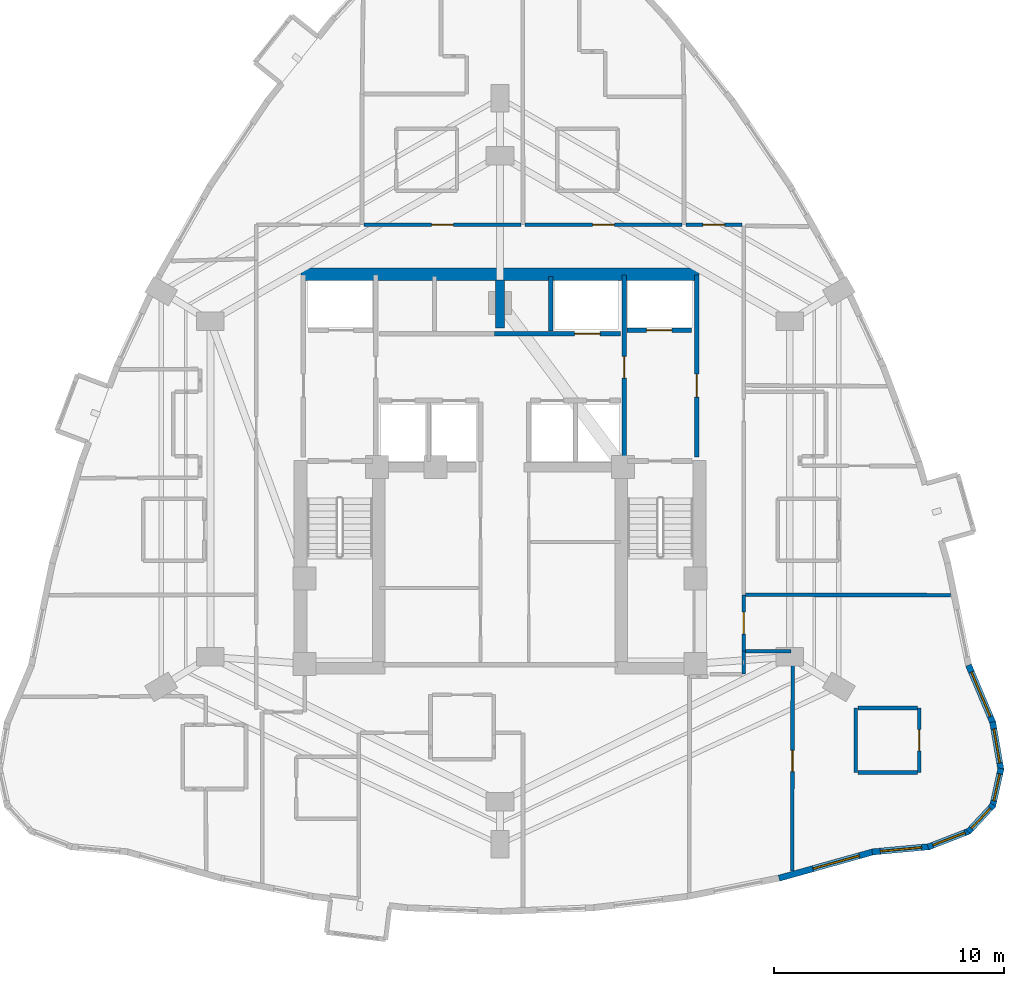
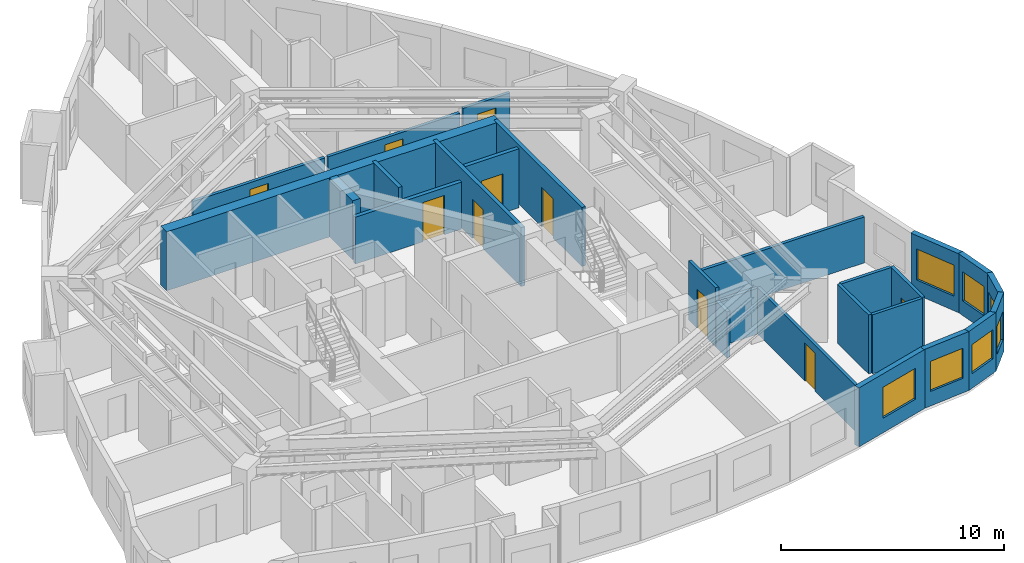
# One storey, part 11 of 14: 26 walls, 10 doors, 7 windows, 17 openings.
"""IFC4 building model written with IfcOpenShell, lengths in metres."""

import ifcopenshell
import ifcopenshell.guid

model = None  # the IFC model being written
_history = None  # IfcOwnerHistory: only IFC2X3 demands one
_inside = {}  # id of a spatial element -> (the spatial element, [elements in it])
_under = {}  # id of a project, library or spatial element -> (it, [spatial elements below it])
_declared = {}  # id of a project -> (the project, [libraries it declares])
_typed = {}  # id of a type object -> (the type object, [elements of that type])
_made_of = {}  # id of a material, layer set ... -> (it, [elements and type objects made of it])


def new_model(schema):
    """Start an empty IFC model of exactly this schema.

    Asked for "IFC4X3", IfcOpenShell would pick the latest addendum, in which some entities
    have other attributes; the version numbers below select the first issue.
    IFC2X3 requires an IfcOwnerHistory on every rooted entity: one is made here for all.
    """
    global model, _history
    if schema == "IFC4X3":
        model = ifcopenshell.file(schema_version=(4, 3, 0, 0))
    else:
        model = ifcopenshell.file(schema=schema)
    _inside.clear()
    _under.clear()
    _declared.clear()
    _typed.clear()
    _made_of.clear()
    _history = None
    if model.schema == "IFC2X3":
        org = make("IfcOrganization", Name="unknown")
        user = make(
            "IfcPersonAndOrganization",
            ThePerson=make("IfcPerson", FamilyName="unknown"),
            TheOrganization=org,
        )
        app = make(
            "IfcApplication",
            ApplicationDeveloper=org,
            Version="unknown",
            ApplicationFullName="unknown",
            ApplicationIdentifier="unknown",
        )
        _history = make(
            "IfcOwnerHistory",
            OwningUser=user,
            OwningApplication=app,
            ChangeAction="ADDED",
            CreationDate=0,
        )
    return model


def make(cls, **values):
    """One entity of the class cls with the attributes given. An attribute that is None is left unset."""
    return model.create_entity(
        cls, **{name: value for name, value in values.items() if value is not None}
    )


def rooted(cls, **values):
    """An entity with a GlobalId (a new one), such as an element, a storey or a relation."""
    return make(cls, GlobalId=ifcopenshell.guid.new(), OwnerHistory=_history, **values)


def si_unit(unit_type, name, prefix=None):
    """IfcSIUnit, for example si_unit("LENGTHUNIT", "METRE", prefix="MILLI")."""
    return make("IfcSIUnit", UnitType=unit_type, Prefix=prefix, Name=name)


def assignment(units):
    """IfcUnitAssignment: the units of a project."""
    return None if units is None else make("IfcUnitAssignment", Units=units)


def point(xyz):
    """IfcCartesianPoint."""
    return None if xyz is None else make("IfcCartesianPoint", Coordinates=xyz)


def direction(xyz):
    """IfcDirection."""
    return None if xyz is None else make("IfcDirection", DirectionRatios=xyz)


def frame(location, z_axis=None, x_axis=None):
    """IfcAxis2Placement3D, a coordinate frame: its origin and axes. An axis left out is left unset."""
    return make(
        "IfcAxis2Placement3D",
        Location=point(location),
        Axis=direction(z_axis),
        RefDirection=direction(x_axis),
    )


def frame_2d(location, x_axis=None):
    """IfcAxis2Placement2D, a coordinate frame in the plane: its origin and x axis."""
    return make(
        "IfcAxis2Placement2D", Location=point(location), RefDirection=direction(x_axis)
    )


def origin():
    """The frame at (0, 0, 0) with its axes left unset."""
    return frame((0.0, 0.0, 0.0))


def place(relative_to, where):
    """IfcLocalPlacement: puts the frame where relative to a parent placement (None: the world)."""
    return make(
        "IfcLocalPlacement", PlacementRelTo=relative_to, RelativePlacement=where
    )


def context(
    kind, dimensions, precision=None, world=None, true_north=None, identifier=None
):
    """IfcGeometricRepresentationContext, for example the 3D "Model" context."""
    return make(
        "IfcGeometricRepresentationContext",
        ContextIdentifier=identifier,
        ContextType=kind,
        CoordinateSpaceDimension=dimensions,
        Precision=precision,
        WorldCoordinateSystem=world,
        TrueNorth=true_north,
    )


def subcontext(parent, identifier, kind, view, scale=None):
    """IfcGeometricRepresentationSubContext, for example "Body" below "Model"."""
    return make(
        "IfcGeometricRepresentationSubContext",
        ContextIdentifier=identifier,
        ContextType=kind,
        ParentContext=parent,
        TargetScale=scale,
        TargetView=view,
    )


def project(units=None, contexts=None):
    """IfcProject with its units and contexts."""
    return rooted(
        "IfcProject",
        Name="project",
        RepresentationContexts=contexts,
        UnitsInContext=assignment(units),
    )


def spatial(cls, under=None, at=None, **own):
    """A site, building, storey or space (cls), placed at a placement, below another one or the project."""
    s = rooted(cls, ObjectPlacement=at, **own)
    if under is not None:
        _under.setdefault(under.id(), (under, []))[1].append(s)
    return s


def profile(cls, at=None, kind="AREA", **sizes):
    """A parametric profile (cls). Its sizes go by their IFC names, for example OverallWidth=200.0."""
    return make(cls, ProfileType=kind, Position=at, **sizes)


def rectangle(**sizes):
    """IfcRectangleProfileDef."""
    return profile("IfcRectangleProfileDef", **sizes)


def extrude(swept, where, along, depth):
    """IfcExtrudedAreaSolid: the profile swept, set in the frame where, extruded along a direction by depth."""
    return make(
        "IfcExtrudedAreaSolid",
        SweptArea=swept,
        Position=where,
        ExtrudedDirection=direction(along),
        Depth=depth,
    )


def shape(context_of_items, identifier, shape_type, items):
    """IfcShapeRepresentation: the items that make up one representation, for example the "Body"."""
    return make(
        "IfcShapeRepresentation",
        ContextOfItems=context_of_items,
        RepresentationIdentifier=identifier,
        RepresentationType=shape_type,
        Items=items,
    )


def material(Name=None, Category=None):
    """IfcMaterial."""
    return make("IfcMaterial", Name=Name, Category=Category)


def layer(
    of_material, thickness, ventilated=None, Name=None, Category=None, Priority=None
):
    """IfcMaterialLayer: one layer of a wall or slab, of a material (None: an air gap)."""
    return make(
        "IfcMaterialLayer",
        Material=of_material,
        LayerThickness=thickness,
        IsVentilated=ventilated,
        Name=Name,
        Category=Category,
        Priority=Priority,
    )


def layer_set(layers, Name=None):
    """IfcMaterialLayerSet."""
    return make("IfcMaterialLayerSet", MaterialLayers=layers, LayerSetName=Name)


def made_of(thing, what):
    """Note that an element or type object is made of a material, layer set ...; save() writes the relation."""
    if what is not None:
        _made_of.setdefault(what.id(), (what, []))[1].append(thing)
    return thing


def type_object(cls, material=None, **own):
    """A type object (cls), such as IfcWallType, which elements share."""
    return made_of(rooted(cls, **own), material)


def element(
    cls,
    number,
    at=None,
    inside=None,
    cuts=None,
    type_object=None,
    material=None,
    context=None,
    identifier="Body",
    shape_type=None,
    held_by="IfcProductDefinitionShape",
    body=None,
    shapes=None,
    **own,
):
    """One element of the class cls, such as IfcWall. Its Tag is "e" and its number.

    at: its placement. inside: the storey or other place that contains it. cuts: it is an
    opening in that element (IfcRelVoidsElement). A single representation is given by context,
    identifier, shape_type and body (its items); several are given by shapes. held_by: the class
    of the entity that holds the representations. save() writes the other relations.
    """
    e = rooted(cls, Tag="e%d" % number, ObjectPlacement=at, **own)
    if body is not None:
        shapes = [shape(context, identifier, shape_type, body)]
    if shapes is not None:
        e.Representation = make(held_by, Representations=shapes)
    if inside is not None:
        _inside.setdefault(inside.id(), (inside, []))[1].append(e)
    if cuts is not None:
        rooted(
            "IfcRelVoidsElement", RelatingBuildingElement=cuts, RelatedOpeningElement=e
        )
    if type_object is not None:
        _typed.setdefault(type_object.id(), (type_object, []))[1].append(e)
    return made_of(e, material)


def fill(opening, filler):
    """IfcRelFillsElement: the door or window that sits in an opening."""
    return rooted(
        "IfcRelFillsElement",
        RelatingOpeningElement=opening,
        RelatedBuildingElement=filler,
    )


def aggregate(whole, parts):
    """IfcRelAggregates: a whole, such as a stair, and the parts it consists of."""
    return rooted("IfcRelAggregates", RelatingObject=whole, RelatedObjects=parts)


def save(model, path):
    """Write the relations noted so far, then the file.

    IfcRelAggregates (storeys below a building ...), IfcRelContainedInSpatialStructure (elements
    in a storey), IfcRelDefinesByType, IfcRelAssociatesMaterial and IfcRelDeclares: one each for
    every whole, place, type object, material and project.
    """
    for whole, parts in _under.values():
        aggregate(whole, parts)
    for where, things in _inside.values():
        rooted(
            "IfcRelContainedInSpatialStructure",
            RelatedElements=things,
            RelatingStructure=where,
        )
    for kind, things in _typed.values():
        rooted("IfcRelDefinesByType", RelatedObjects=things, RelatingType=kind)
    for what, things in _made_of.values():
        rooted("IfcRelAssociatesMaterial", RelatedObjects=things, RelatingMaterial=what)
    for by, libraries in _declared.values():
        rooted("IfcRelDeclares", RelatingContext=by, RelatedDefinitions=libraries)
    model.write(path)


model = new_model("IFC4")

# Units and contexts
model_context = context("Model", 3, precision=1e-05, world=origin(), true_north=direction((0.0, 1.0)))
body_context = subcontext(model_context, "Body", "Model", "MODEL_VIEW")
ifc_project = project(units=[si_unit("LENGTHUNIT", "METRE"), si_unit("AREAUNIT", "SQUARE_METRE"), si_unit("VOLUMEUNIT", "CUBIC_METRE"), si_unit("PLANEANGLEUNIT", "RADIAN"), si_unit("MASSUNIT", "GRAM", prefix="KILO")], contexts=[model_context])

# Site, building, storey
site_placement = place(None, origin())
site = spatial("IfcSite", under=ifc_project, at=site_placement, CompositionType="ELEMENT")
building_placement = place(site_placement, origin())
building = spatial("IfcBuilding", under=site, at=building_placement, Name="Miruveldt Soraemaru", CompositionType="ELEMENT")
storey_placement = place(building_placement, frame((0.0, 0.0, 131.89990234375)))
storey = spatial("IfcBuildingStorey", under=building, at=storey_placement, Name="L36", CompositionType="ELEMENT", Elevation=131.89990234375)

# Walls
ifc_material_1 = material(Name="Concrete C70/85 (70 MPa)", Category="concrete")
ifc_layer_1 = layer(ifc_material_1, 0.5, Name="Concrete C70/85 (70 MPa)", Category="concrete")
ifc_layer_set_1 = layer_set([ifc_layer_1], Name="Concrete C70/85 (70 MPa)")
wall_type_1 = type_object("IfcWallType", Name="WALL-BW-500", PredefinedType="SHEAR", material=ifc_layer_set_1)
wall_1_placement = place(storey_placement, frame((44.0, 50.10009765625, 0.0), z_axis=(0.0, 0.0, 1.0), x_axis=(0.0, 1.0, 0.0)))
element("IfcWall", 1, at=wall_1_placement, inside=storey, type_object=wall_type_1, Name="L36 Core Buttress Shear Wall BN", PredefinedType="SHEAR", context=body_context, shape_type="SweptSolid", body=[
    extrude(rectangle(XDim=2.099853515625, YDim=0.39990234375, at=frame_2d((1.0498046875, 0.0))), origin(), (0.0, 0.0, 1.0), 3.235107421875),
])
ifc_layer_2 = layer(ifc_material_1, 0.550048828125, Name="Concrete C70/85 (70 MPa)", Category="concrete")
ifc_layer_set_2 = layer_set([ifc_layer_2], Name="Concrete C70/85 (70 MPa)")
wall_type_2 = type_object("IfcWallType", Name="WALL-CW-550", PredefinedType="SHEAR", material=ifc_layer_set_2)
wall_2_placement = place(storey_placement, frame((35.35009765625, 52.449951171875, 0.0), z_axis=(0.0, 0.0, 1.0), x_axis=(1.0, 0.0, 0.0)))
element("IfcWall", 2, at=wall_2_placement, inside=storey, type_object=wall_type_2, Name="L36 Central Core Shear Wall N", PredefinedType="SHEAR", context=body_context, shape_type="SweptSolid", body=[
    extrude(rectangle(XDim=17.2998046875, YDim=0.550048828125, at=frame_2d((8.64990234375, 0.0))), origin(), (0.0, 0.0, 1.0), 3.235107421875),
])

# Wall, opening, window
ifc_material_2 = material(Name="Precast concrete C45/55 (45 MPa)", Category="concrete")
ifc_layer_3 = layer(ifc_material_2, 0.27001953125, Name="Precast concrete C45/55 (45 MPa)", Category="concrete")
ifc_layer_set_3 = layer_set([ifc_layer_3], Name="Precast concrete C45/55 (45 MPa)")
wall_type_3 = type_object("IfcWallType", Name="WALL-EXT-PC270", PredefinedType="SOLIDWALL", material=ifc_layer_set_3)
wall_3_placement = place(storey_placement, frame((56.132080078125, 26.17236328125, 0.0), z_axis=(0.0, 0.0, 1.0), x_axis=(0.962965204251, 0.269625694996, 0.0)))
wall_3 = element("IfcWall", 3, at=wall_3_placement, inside=storey, type_object=wall_type_3, Name="L36 Precast Concrete Facade Wall 28", PredefinedType="SOLIDWALL", context=body_context, shape_type="SweptSolid", body=[
    extrude(rectangle(XDim=4.281005859375, YDim=0.27001953125, at=frame_2d((2.140625, 0.0))), origin(), (0.0, 0.0, 1.0), 3.235107421875),
])
opening_1_placement = place(wall_3_placement, frame((1.531982421875, 0.0, 0.800048828125)))
opening_1 = element("IfcOpeningElement", 4, at=opening_1_placement, cuts=wall_3, Name="Opening WN-1", PredefinedType="OPENING", context=body_context, shape_type="SweptSolid", body=[
    extrude(rectangle(XDim=2.10009765625, YDim=1.699951171875, at=frame_2d((1.050048828125, 0.85009765625))), frame((0.0, 0.14501953125, 0.0), z_axis=(0.0, -1.0, 0.0), x_axis=(1.0, 0.0, 0.0)), (0.0, 0.0, 1.0), 0.2900390625),
])
ifc_material_3 = material(Name="Triple low-e insulated glazing", Category="glass")
window_type_1 = type_object("IfcWindowType", Name="WIN-PUNCH-2100x1700", PartitioningType="SINGLE_PANEL", PredefinedType="WINDOW", material=ifc_material_3)
window_1_placement = place(opening_1_placement, origin())
window_1 = element("IfcWindow", 5, at=window_1_placement, inside=storey, type_object=window_type_1, Name="L36 Punched Triple-Glazed Window 28.1", OverallHeight=1.699951171875, OverallWidth=2.10009765625, PartitioningType="SINGLE_PANEL", PredefinedType="WINDOW", context=body_context, shape_type="SweptSolid", body=[
    extrude(rectangle(XDim=2.10009765625, YDim=1.699951171875, at=frame_2d((1.050048828125, 0.85009765625))), frame((0.0, 0.030029296875, 0.0), z_axis=(0.0, -1.0, 0.0), x_axis=(1.0, 0.0, 0.0)), (0.0, 0.0, 1.0), 0.06005859375),
])
fill(opening_1, window_1)

wall_4_placement = place(storey_placement, frame((60.18603515625, 27.31396484375, 0.0), z_axis=(0.0, 0.0, 1.0), x_axis=(0.995759974065, 0.091989532284, 0.0)))
wall_4 = element("IfcWall", 6, at=wall_4_placement, inside=storey, type_object=wall_type_3, Name="L36 Precast Concrete Facade Wall 29", PredefinedType="SOLIDWALL", context=body_context, shape_type="SweptSolid", body=[
    extrude(rectangle(XDim=2.513427734375, YDim=0.27001953125, at=frame_2d((1.2568359375, 0.0))), origin(), (0.0, 0.0, 1.0), 3.235107421875),
])
opening_2_placement = place(wall_4_placement, frame((0.35693359375, 0.0, 0.800048828125)))
opening_2 = element("IfcOpeningElement", 7, at=opening_2_placement, cuts=wall_4, Name="Opening WN-2", PredefinedType="OPENING", context=body_context, shape_type="SweptSolid", body=[
    extrude(rectangle(XDim=1.800048828125, YDim=1.64990234375, at=frame_2d((0.89990234375, 0.824951171875))), frame((0.0, 0.14501953125, 0.0), z_axis=(0.0, -1.0, 0.0), x_axis=(1.0, 0.0, 0.0)), (0.0, 0.0, 1.0), 0.2900390625),
])
window_type_2 = type_object("IfcWindowType", Name="WIN-PUNCH-1800x1650", PartitioningType="SINGLE_PANEL", PredefinedType="WINDOW", material=ifc_material_3)
window_2_placement = place(opening_2_placement, origin())
window_2 = element("IfcWindow", 8, at=window_2_placement, inside=storey, type_object=window_type_2, Name="L36 Punched Triple-Glazed Window 29.1", OverallHeight=1.64990234375, OverallWidth=1.800048828125, PartitioningType="SINGLE_PANEL", PredefinedType="WINDOW", context=body_context, shape_type="SweptSolid", body=[
    extrude(rectangle(XDim=1.800048828125, YDim=1.64990234375, at=frame_2d((0.89990234375, 0.824951171875))), frame((0.0, 0.030029296875, 0.0), z_axis=(0.0, -1.0, 0.0), x_axis=(1.0, 0.0, 0.0)), (0.0, 0.0, 1.0), 0.06005859375),
])
fill(opening_2, window_2)

wall_5_placement = place(storey_placement, frame((62.621337890625, 27.529296875, 0.0), z_axis=(0.0, 0.0, 1.0), x_axis=(0.932300505595, 0.361684624039, 0.0)))
wall_5 = element("IfcWall", 9, at=wall_5_placement, inside=storey, type_object=wall_type_3, Name="L36 Precast Concrete Facade Wall 30", PredefinedType="SOLIDWALL", context=body_context, shape_type="SweptSolid", body=[
    extrude(rectangle(XDim=1.933837890625, YDim=0.27001953125, at=frame_2d((0.966796875, 0.0))), origin(), (0.0, 0.0, 1.0), 3.235107421875),
])
opening_3_placement = place(wall_5_placement, frame((0.217041015625, 0.0, 0.800048828125)))
opening_3 = element("IfcOpeningElement", 10, at=opening_3_placement, cuts=wall_5, Name="Opening WN-3", PredefinedType="OPENING", context=body_context, shape_type="SweptSolid", body=[
    extrude(rectangle(XDim=1.5, YDim=1.60009765625, at=frame_2d((0.75, 0.800048828125))), frame((0.0, 0.14501953125, 0.0), z_axis=(0.0, -1.0, 0.0), x_axis=(1.0, 0.0, 0.0)), (0.0, 0.0, 1.0), 0.2900390625),
])
window_type_3 = type_object("IfcWindowType", Name="WIN-PUNCH-1500x1600", PartitioningType="SINGLE_PANEL", PredefinedType="WINDOW", material=ifc_material_3)
window_3_placement = place(opening_3_placement, origin())
window_3 = element("IfcWindow", 11, at=window_3_placement, inside=storey, type_object=window_type_3, Name="L36 Punched Triple-Glazed Window 30.1", OverallHeight=1.60009765625, OverallWidth=1.5, PartitioningType="SINGLE_PANEL", PredefinedType="WINDOW", context=body_context, shape_type="SweptSolid", body=[
    extrude(rectangle(XDim=1.5, YDim=1.60009765625, at=frame_2d((0.75, 0.800048828125))), frame((0.0, 0.030029296875, 0.0), z_axis=(0.0, -1.0, 0.0), x_axis=(1.0, 0.0, 0.0)), (0.0, 0.0, 1.0), 0.06005859375),
])
fill(opening_3, window_3)

wall_6_placement = place(storey_placement, frame((64.367919921875, 28.1904296875, 0.0), z_axis=(0.0, 0.0, 1.0), x_axis=(0.680188175281, 0.733037547611, 0.0)))
wall_6 = element("IfcWall", 12, at=wall_6_placement, inside=storey, type_object=wall_type_3, Name="L36 Precast Concrete Facade Wall 31", PredefinedType="SOLIDWALL", context=body_context, shape_type="SweptSolid", body=[
    extrude(rectangle(XDim=1.60302734375, YDim=0.27001953125, at=frame_2d((0.801513671875, 0.0))), origin(), (0.0, 0.0, 1.0), 3.235107421875),
])
opening_4_placement = place(wall_6_placement, frame((0.201904296875, 0.0, 0.780029296875)))
opening_4 = element("IfcOpeningElement", 13, at=opening_4_placement, cuts=wall_6, Name="Opening WN-4", PredefinedType="OPENING", context=body_context, shape_type="SweptSolid", body=[
    extrude(rectangle(XDim=1.199951171875, YDim=1.550048828125, at=frame_2d((0.60009765625, 0.77490234375))), frame((0.0, 0.14501953125, 0.0), z_axis=(0.0, -1.0, 0.0), x_axis=(1.0, 0.0, 0.0)), (0.0, 0.0, 1.0), 0.2900390625),
])
window_type_4 = type_object("IfcWindowType", Name="WIN-PUNCH-1200x1550", PartitioningType="SINGLE_PANEL", PredefinedType="WINDOW", material=ifc_material_3)
window_4_placement = place(opening_4_placement, origin())
window_4 = element("IfcWindow", 14, at=window_4_placement, inside=storey, type_object=window_type_4, Name="L36 Punched Triple-Glazed Window 31.1", OverallHeight=1.550048828125, OverallWidth=1.199951171875, PartitioningType="SINGLE_PANEL", PredefinedType="WINDOW", context=body_context, shape_type="SweptSolid", body=[
    extrude(rectangle(XDim=1.199951171875, YDim=1.550048828125, at=frame_2d((0.60009765625, 0.77490234375))), frame((0.0, 0.030029296875, 0.0), z_axis=(0.0, -1.0, 0.0), x_axis=(1.0, 0.0, 0.0)), (0.0, 0.0, 1.0), 0.06005859375),
])
fill(opening_4, window_4)

wall_7_placement = place(storey_placement, frame((65.427001953125, 29.3056640625, 0.0), z_axis=(0.0, 0.0, 1.0), x_axis=(0.215515556799, 0.976500406952, 0.0)))
wall_7 = element("IfcWall", 15, at=wall_7_placement, inside=storey, type_object=wall_type_3, Name="L36 Precast Concrete Facade Wall 32", PredefinedType="SOLIDWALL", context=body_context, shape_type="SweptSolid", body=[
    extrude(rectangle(XDim=1.68115234375, YDim=0.27001953125, at=frame_2d((0.840576171875, 0.0))), origin(), (0.0, 0.0, 1.0), 3.235107421875),
])
opening_5_placement = place(wall_7_placement, frame((0.239990234375, 0.0, 0.780029296875)))
opening_5 = element("IfcOpeningElement", 16, at=opening_5_placement, cuts=wall_7, Name="Opening WN-4", PredefinedType="OPENING", context=body_context, shape_type="SweptSolid", body=[
    extrude(rectangle(XDim=1.199951171875, YDim=1.550048828125, at=frame_2d((0.60009765625, 0.77490234375))), frame((0.0, 0.14501953125, 0.0), z_axis=(0.0, -1.0, 0.0), x_axis=(1.0, 0.0, 0.0)), (0.0, 0.0, 1.0), 0.2900390625),
])
window_5_placement = place(opening_5_placement, origin())
window_5 = element("IfcWindow", 17, at=window_5_placement, inside=storey, type_object=window_type_4, Name="L36 Punched Triple-Glazed Window 32.1", OverallHeight=1.550048828125, OverallWidth=1.199951171875, PartitioningType="SINGLE_PANEL", PredefinedType="WINDOW", context=body_context, shape_type="SweptSolid", body=[
    extrude(rectangle(XDim=1.199951171875, YDim=1.550048828125, at=frame_2d((0.60009765625, 0.77490234375))), frame((0.0, 0.030029296875, 0.0), z_axis=(0.0, -1.0, 0.0), x_axis=(1.0, 0.0, 0.0)), (0.0, 0.0, 1.0), 0.06005859375),
])
fill(opening_5, window_5)

wall_8_placement = place(storey_placement, frame((65.787841796875, 30.87841796875, 0.0), z_axis=(0.0, 0.0, 1.0), x_axis=(-0.169321385443, 0.985560890271, 0.0)))
wall_8 = element("IfcWall", 18, at=wall_8_placement, inside=storey, type_object=wall_type_3, Name="L36 Precast Concrete Facade Wall 33", PredefinedType="SOLIDWALL", context=body_context, shape_type="SweptSolid", body=[
    extrude(rectangle(XDim=2.12255859375, YDim=0.27001953125, at=frame_2d((1.061279296875, 0.0))), origin(), (0.0, 0.0, 1.0), 3.235107421875),
])
opening_6_placement = place(wall_8_placement, frame((0.31103515625, 0.0, 0.800048828125)))
opening_6 = element("IfcOpeningElement", 19, at=opening_6_placement, cuts=wall_8, Name="Opening WN-3", PredefinedType="OPENING", context=body_context, shape_type="SweptSolid", body=[
    extrude(rectangle(XDim=1.5, YDim=1.60009765625, at=frame_2d((0.75, 0.800048828125))), frame((0.0, 0.14501953125, 0.0), z_axis=(0.0, -1.0, 0.0), x_axis=(1.0, 0.0, 0.0)), (0.0, 0.0, 1.0), 0.2900390625),
])
window_6_placement = place(opening_6_placement, origin())
window_6 = element("IfcWindow", 20, at=window_6_placement, inside=storey, type_object=window_type_3, Name="L36 Punched Triple-Glazed Window 33.1", OverallHeight=1.60009765625, OverallWidth=1.5, PartitioningType="SINGLE_PANEL", PredefinedType="WINDOW", context=body_context, shape_type="SweptSolid", body=[
    extrude(rectangle(XDim=1.5, YDim=1.60009765625, at=frame_2d((0.75, 0.800048828125))), frame((0.0, 0.030029296875, 0.0), z_axis=(0.0, -1.0, 0.0), x_axis=(1.0, 0.0, 0.0)), (0.0, 0.0, 1.0), 0.06005859375),
])
fill(opening_6, window_6)

wall_9_placement = place(storey_placement, frame((65.447998046875, 32.903564453125, 0.0), z_axis=(0.0, 0.0, 1.0), x_axis=(-0.388604046784, 0.921404848491, 0.0)))
wall_9 = element("IfcWall", 21, at=wall_9_placement, inside=storey, type_object=wall_type_3, Name="L36 Precast Concrete Facade Wall 34", PredefinedType="SOLIDWALL", context=body_context, shape_type="SweptSolid", body=[
    extrude(rectangle(XDim=2.7529296875, YDim=0.27001953125, at=frame_2d((1.37646484375, 0.0))), origin(), (0.0, 0.0, 1.0), 3.235107421875),
])
opening_7_placement = place(wall_9_placement, frame((0.326904296875, 0.0, 0.800048828125)))
opening_7 = element("IfcOpeningElement", 22, at=opening_7_placement, cuts=wall_9, Name="Opening WN-1", PredefinedType="OPENING", context=body_context, shape_type="SweptSolid", body=[
    extrude(rectangle(XDim=2.10009765625, YDim=1.699951171875, at=frame_2d((1.050048828125, 0.85009765625))), frame((0.0, 0.14501953125, 0.0), z_axis=(0.0, -1.0, 0.0), x_axis=(1.0, 0.0, 0.0)), (0.0, 0.0, 1.0), 0.2900390625),
])
window_7_placement = place(opening_7_placement, origin())
window_7 = element("IfcWindow", 23, at=window_7_placement, inside=storey, type_object=window_type_1, Name="L36 Punched Triple-Glazed Window 34.1", OverallHeight=1.699951171875, OverallWidth=2.10009765625, PartitioningType="SINGLE_PANEL", PredefinedType="WINDOW", context=body_context, shape_type="SweptSolid", body=[
    extrude(rectangle(XDim=2.10009765625, YDim=1.699951171875, at=frame_2d((1.050048828125, 0.85009765625))), frame((0.0, 0.030029296875, 0.0), z_axis=(0.0, -1.0, 0.0), x_axis=(1.0, 0.0, 0.0)), (0.0, 0.0, 1.0), 0.06005859375),
])
fill(opening_7, window_7)

# Wall, opening, door
ifc_material_4 = material(Name="Concrete C40/50 (40 MPa)", Category="concrete")
ifc_layer_4 = layer(ifc_material_4, 0.159912109375, Name="Concrete C40/50 (40 MPa)", Category="concrete")
ifc_layer_set_4 = layer_set([ifc_layer_4], Name="Concrete C40/50 (40 MPa)")
wall_type_4 = type_object("IfcWallType", Name="WALL-INT-RC160", PredefinedType="SOLIDWALL", material=ifc_layer_set_4)
wall_10_placement = place(storey_placement, frame((56.72998046875, 36.050048828125, 0.0), z_axis=(0.0, 0.0, 1.0), x_axis=(-0.001991926177, -0.999998016113, 0.0)))
wall_10 = element("IfcWall", 24, at=wall_10_placement, inside=storey, type_object=wall_type_4, Name="L36 Partition Wall 86", PredefinedType="SOLIDWALL", context=body_context, shape_type="SweptSolid", body=[
    extrude(rectangle(XDim=9.56005859375, YDim=0.159912109375, at=frame_2d((4.780029296875, 0.0))), origin(), (0.0, 0.0, 1.0), 2.523193359375),
])
opening_8_placement = place(wall_10_placement, frame((4.320068359375, 0.0, 0.0)))
opening_8 = element("IfcOpeningElement", 25, at=opening_8_placement, cuts=wall_10, Name="Opening D3A", PredefinedType="OPENING", context=body_context, shape_type="SweptSolid", body=[
    extrude(rectangle(XDim=0.919921875, YDim=2.10009765625, at=frame_2d((0.4599609375, 1.050048828125))), frame((0.0, 0.08984375, 0.0), z_axis=(0.0, -1.0, 0.0), x_axis=(1.0, 0.0, 0.0)), (0.0, 0.0, 1.0), 0.179931640625),
])
ifc_material_5 = material(Name="Anodised aluminium EN AW-6063 T6", Category="aluminium")
door_type_1 = type_object("IfcDoorType", Name="DOOR-INT-920", OperationType="NOTDEFINED", PredefinedType="DOOR", material=ifc_material_5)
door_1_placement = place(opening_8_placement, origin())
door_1 = element("IfcDoor", 26, at=door_1_placement, inside=storey, type_object=door_type_1, Name="L36 Unit 3609 BD1 Door", OperationType="SINGLE_SWING_RIGHT", OverallHeight=2.10009765625, OverallWidth=0.919921875, PredefinedType="DOOR", context=body_context, shape_type="SweptSolid", body=[
    extrude(rectangle(XDim=0.919921875, YDim=2.10009765625, at=frame_2d((0.4599609375, 1.050048828125))), frame((0.0, 0.02490234375, 0.0), z_axis=(0.0, -1.0, 0.0), x_axis=(1.0, 0.0, 0.0)), (0.0, 0.0, 1.0), 0.050048828125),
])
fill(opening_8, door_1)

wall_11_placement = place(storey_placement, frame((44.9169921875, 54.60009765625, 0.0), z_axis=(0.0, 0.0, 1.0), x_axis=(-1.0, 0.0, 0.0)))
wall_11 = element("IfcWall", 27, at=wall_11_placement, inside=storey, type_object=wall_type_4, Name="L36 Partition Wall 3", PredefinedType="SOLIDWALL", context=body_context, shape_type="SweptSolid", body=[
    extrude(rectangle(XDim=6.833984375, YDim=0.159912109375, at=frame_2d((3.4169921875, 0.0))), origin(), (0.0, 0.0, 1.0), 2.523193359375),
])
opening_9_placement = place(wall_11_placement, frame((2.94189453125, 0.0, 0.0)))
opening_9 = element("IfcOpeningElement", 28, at=opening_9_placement, cuts=wall_11, Name="Opening FD2", PredefinedType="OPENING", context=body_context, shape_type="SweptSolid", body=[
    extrude(rectangle(XDim=0.949951171875, YDim=2.14990234375, at=frame_2d((0.47509765625, 1.074951171875))), frame((0.0, 0.08984375, 0.0), z_axis=(0.0, -1.0, 0.0), x_axis=(1.0, 0.0, 0.0)), (0.0, 0.0, 1.0), 0.179931640625),
])
door_type_2 = type_object("IfcDoorType", Name="DOOR-FD2-950", OperationType="NOTDEFINED", PredefinedType="DOOR", material=ifc_material_5)
door_2_placement = place(opening_9_placement, origin())
door_2 = element("IfcDoor", 29, at=door_2_placement, inside=storey, type_object=door_type_2, Name="L36 Unit 3602 Entrance Fire Door", OperationType="SINGLE_SWING_RIGHT", OverallHeight=2.14990234375, OverallWidth=0.949951171875, PredefinedType="DOOR", context=body_context, shape_type="SweptSolid", body=[
    extrude(rectangle(XDim=0.949951171875, YDim=2.14990234375, at=frame_2d((0.47509765625, 1.074951171875))), frame((0.0, 0.02490234375, 0.0), z_axis=(0.0, -1.0, 0.0), x_axis=(1.0, 0.0, 0.0)), (0.0, 0.0, 1.0), 0.050048828125),
])
fill(opening_9, door_2)

wall_12_placement = place(storey_placement, frame((51.9169921875, 54.60009765625, 0.0), z_axis=(0.0, 0.0, 1.0), x_axis=(-1.0, 0.0, 0.0)))
wall_12 = element("IfcWall", 30, at=wall_12_placement, inside=storey, type_object=wall_type_4, Name="L36 Partition Wall 4", PredefinedType="SOLIDWALL", context=body_context, shape_type="SweptSolid", body=[
    extrude(rectangle(XDim=6.833984375, YDim=0.159912109375, at=frame_2d((3.4169921875, 0.0))), origin(), (0.0, 0.0, 1.0), 2.523193359375),
])
opening_10_placement = place(wall_12_placement, frame((2.94189453125, 0.0, 0.0)))
opening_10 = element("IfcOpeningElement", 31, at=opening_10_placement, cuts=wall_12, Name="Opening FD2", PredefinedType="OPENING", context=body_context, shape_type="SweptSolid", body=[
    extrude(rectangle(XDim=0.949951171875, YDim=2.14990234375, at=frame_2d((0.47509765625, 1.074951171875))), frame((0.0, 0.08984375, 0.0), z_axis=(0.0, -1.0, 0.0), x_axis=(1.0, 0.0, 0.0)), (0.0, 0.0, 1.0), 0.179931640625),
])
door_3_placement = place(opening_10_placement, origin())
door_3 = element("IfcDoor", 32, at=door_3_placement, inside=storey, type_object=door_type_2, Name="L36 Unit 3603 Entrance Fire Door", OperationType="SINGLE_SWING_LEFT", OverallHeight=2.14990234375, OverallWidth=0.949951171875, PredefinedType="DOOR", context=body_context, shape_type="SweptSolid", body=[
    extrude(rectangle(XDim=0.949951171875, YDim=2.14990234375, at=frame_2d((0.47509765625, 1.074951171875))), frame((0.0, 0.02490234375, 0.0), z_axis=(0.0, -1.0, 0.0), x_axis=(1.0, 0.0, 0.0)), (0.0, 0.0, 1.0), 0.050048828125),
])
fill(opening_10, door_3)

wall_13_placement = place(storey_placement, frame((62.22998046875, 30.77392578125, 0.0), z_axis=(0.0, 0.0, 1.0), x_axis=(0.0, 1.0, 0.0)))
wall_13 = element("IfcWall", 33, at=wall_13_placement, inside=storey, type_object=wall_type_4, Name="L36 Partition Wall 81", PredefinedType="SOLIDWALL", context=body_context, shape_type="SweptSolid", body=[
    extrude(rectangle(XDim=2.800048828125, YDim=0.159912109375, at=frame_2d((1.39990234375, 0.0))), origin(), (0.0, 0.0, 1.0), 3.235107421875),
])
opening_11_placement = place(wall_13_placement, frame((0.93994140625, 0.0, 0.0)))
opening_11 = element("IfcOpeningElement", 34, at=opening_11_placement, cuts=wall_13, Name="Opening D3A", PredefinedType="OPENING", context=body_context, shape_type="SweptSolid", body=[
    extrude(rectangle(XDim=0.919921875, YDim=2.10009765625, at=frame_2d((0.4599609375, 1.050048828125))), frame((0.0, 0.08984375, 0.0), z_axis=(0.0, -1.0, 0.0), x_axis=(1.0, 0.0, 0.0)), (0.0, 0.0, 1.0), 0.179931640625),
])
door_4_placement = place(opening_11_placement, origin())
door_4 = element("IfcDoor", 35, at=door_4_placement, inside=storey, type_object=door_type_1, Name="L36 Unit 3609 KIT Door", OperationType="SINGLE_SWING_LEFT", OverallHeight=2.10009765625, OverallWidth=0.919921875, PredefinedType="DOOR", context=body_context, shape_type="SweptSolid", body=[
    extrude(rectangle(XDim=0.919921875, YDim=2.10009765625, at=frame_2d((0.4599609375, 1.050048828125))), frame((0.0, 0.02490234375, 0.0), z_axis=(0.0, -1.0, 0.0), x_axis=(1.0, 0.0, 0.0)), (0.0, 0.0, 1.0), 0.050048828125),
])
fill(opening_11, door_4)

wall_14_placement = place(storey_placement, frame((54.60009765625, 36.052978515625, 0.0), z_axis=(0.0, 0.0, 1.0), x_axis=(0.0, 1.0, 0.0)))
wall_14 = element("IfcWall", 36, at=wall_14_placement, inside=storey, type_object=wall_type_4, Name="L36 Partition Wall 11", PredefinedType="SOLIDWALL", context=body_context, shape_type="SweptSolid", body=[
    extrude(rectangle(XDim=2.444091796875, YDim=0.159912109375, at=frame_2d((1.22216796875, 0.0))), origin(), (0.0, 0.0, 1.0), 3.235107421875),
])
opening_12_placement = place(wall_14_placement, frame((0.7470703125, 0.0, 0.0)))
opening_12 = element("IfcOpeningElement", 37, at=opening_12_placement, cuts=wall_14, Name="Opening FD2", PredefinedType="OPENING", context=body_context, shape_type="SweptSolid", body=[
    extrude(rectangle(XDim=0.949951171875, YDim=2.14990234375, at=frame_2d((0.47509765625, 1.074951171875))), frame((0.0, 0.08984375, 0.0), z_axis=(0.0, -1.0, 0.0), x_axis=(1.0, 0.0, 0.0)), (0.0, 0.0, 1.0), 0.179931640625),
])
door_5_placement = place(opening_12_placement, origin())
door_5 = element("IfcDoor", 38, at=door_5_placement, inside=storey, type_object=door_type_2, Name="L36 Unit 3609 Entrance Fire Door", OperationType="SINGLE_SWING_RIGHT", OverallHeight=2.14990234375, OverallWidth=0.949951171875, PredefinedType="DOOR", context=body_context, shape_type="SweptSolid", body=[
    extrude(rectangle(XDim=0.949951171875, YDim=2.14990234375, at=frame_2d((0.47509765625, 1.074951171875))), frame((0.0, 0.02490234375, 0.0), z_axis=(0.0, -1.0, 0.0), x_axis=(1.0, 0.0, 0.0)), (0.0, 0.0, 1.0), 0.050048828125),
])
fill(opening_12, door_5)

wall_15_placement = place(storey_placement, frame((54.52001953125, 54.60009765625, 0.0), z_axis=(0.0, 0.0, 1.0), x_axis=(-1.0, 0.0, 0.0)))
wall_15 = element("IfcWall", 39, at=wall_15_placement, inside=storey, type_object=wall_type_4, Name="L36 Partition Wall 5", PredefinedType="SOLIDWALL", context=body_context, shape_type="SweptSolid", body=[
    extrude(rectangle(XDim=2.43994140625, YDim=0.159912109375, at=frame_2d((1.219970703125, 0.0))), origin(), (0.0, 0.0, 1.0), 2.72314453125),
])
opening_13_placement = place(wall_15_placement, frame((0.7451171875, 0.0, 0.0)))
opening_13 = element("IfcOpeningElement", 40, at=opening_13_placement, cuts=wall_15, Name="Opening FD2", PredefinedType="OPENING", context=body_context, shape_type="SweptSolid", body=[
    extrude(rectangle(XDim=0.949951171875, YDim=2.14990234375, at=frame_2d((0.47509765625, 1.074951171875))), frame((0.0, 0.08984375, 0.0), z_axis=(0.0, -1.0, 0.0), x_axis=(1.0, 0.0, 0.0)), (0.0, 0.0, 1.0), 0.179931640625),
])
door_6_placement = place(opening_13_placement, origin())
door_6 = element("IfcDoor", 41, at=door_6_placement, inside=storey, type_object=door_type_2, Name="L36 Unit CL04 Entrance Fire Door", OperationType="SINGLE_SWING_RIGHT", OverallHeight=2.14990234375, OverallWidth=0.949951171875, PredefinedType="DOOR", context=body_context, shape_type="SweptSolid", body=[
    extrude(rectangle(XDim=0.949951171875, YDim=2.14990234375, at=frame_2d((0.47509765625, 1.074951171875))), frame((0.0, 0.02490234375, 0.0), z_axis=(0.0, -1.0, 0.0), x_axis=(1.0, 0.0, 0.0)), (0.0, 0.0, 1.0), 0.050048828125),
])
fill(opening_13, door_6)

# Walls
wall_16_placement = place(storey_placement, frame((54.68310546875, 38.5, 0.0), z_axis=(0.0, 0.0, 1.0), x_axis=(0.999998783571, -0.001559761675, 0.0)))
element("IfcWall", 42, at=wall_16_placement, inside=storey, type_object=wall_type_4, Name="L36 Partition Wall 59", PredefinedType="SOLIDWALL", context=body_context, shape_type="SweptSolid", body=[
    extrude(rectangle(XDim=8.921875, YDim=0.159912109375, at=frame_2d((4.4609375, 0.0))), origin(), (0.0, 0.0, 1.0), 2.523193359375),
])
wall_17_placement = place(storey_placement, frame((59.47998046875, 33.573974609375, 0.0), z_axis=(0.0, 0.0, 1.0), x_axis=(0.0, -1.0, 0.0)))
element("IfcWall", 43, at=wall_17_placement, inside=storey, type_object=wall_type_4, Name="L36 Partition Wall 83", PredefinedType="SOLIDWALL", context=body_context, shape_type="SweptSolid", body=[
    extrude(rectangle(XDim=2.800048828125, YDim=0.159912109375, at=frame_2d((1.39990234375, 0.0))), origin(), (0.0, 0.0, 1.0), 3.235107421875),
])
for number, where, z_axis, x_axis, name in (
    (44, (62.14990234375, 33.573974609375, 0.0), (0.0, 0.0, 1.0), (-1.0, 0.0, 0.0), "L36 Partition Wall 82"),
    (45, (59.56005859375, 30.77392578125, 0.0), (0.0, 0.0, 1.0), (1.0, 0.0, 0.0), "L36 Partition Wall 84"),
):
    element("IfcWall", number, at=place(storey_placement, frame(where, z_axis=z_axis, x_axis=x_axis)), inside=storey, type_object=wall_type_4, Name=name, PredefinedType="SOLIDWALL", context=body_context, shape_type="SweptSolid", body=[
        extrude(rectangle(XDim=2.58984375, YDim=0.159912109375, at=frame_2d((1.294921875, 0.0))), origin(), (0.0, 0.0, 1.0), 3.235107421875),
    ])
wall_18_placement = place(storey_placement, frame((54.679931640625, 36.050048828125, 0.0), z_axis=(0.0, 0.0, 1.0), x_axis=(1.0, 0.0, 0.0)))
element("IfcWall", 46, at=wall_18_placement, inside=storey, type_object=wall_type_4, Name="L36 Partition Wall 85", PredefinedType="SOLIDWALL", context=body_context, shape_type="SweptSolid", body=[
    extrude(rectangle(XDim=1.969970703125, YDim=0.159912109375, at=frame_2d((0.98486328125, 0.0))), origin(), (0.0, 0.0, 1.0), 2.523193359375),
])
wall_19_placement = place(storey_placement, frame((54.60009765625, 35.050048828125, 0.0), z_axis=(0.0, 0.0, 1.0), x_axis=(0.0, 1.0, 0.0)))
element("IfcWall", 47, at=wall_19_placement, inside=storey, type_object=wall_type_4, Name="L36 Partition Wall 13", PredefinedType="SOLIDWALL", context=body_context, shape_type="SweptSolid", body=[
    extrude(rectangle(XDim=1.0, YDim=0.159912109375, at=frame_2d((0.5, 0.0))), origin(), (0.0, 0.0, 1.0), 2.523193359375),
])

# Wall, opening, door
ifc_layer_5 = layer(ifc_material_4, 0.199951171875, Name="Concrete C40/50 (40 MPa)", Category="concrete")
ifc_layer_set_5 = layer_set([ifc_layer_5], Name="Concrete C40/50 (40 MPa)")
wall_type_5 = type_object("IfcWallType", Name="WALL-INT-RC200", PredefinedType="SOLIDWALL", material=ifc_layer_set_5)
wall_20_placement = place(storey_placement, frame((52.550048828125, 44.5, 0.0), z_axis=(0.0, 0.0, 1.0), x_axis=(0.0, 1.0, 0.0)))
wall_20 = element("IfcWall", 48, at=wall_20_placement, inside=storey, type_object=wall_type_5, Name="L36 Core Compartment Wall FFE-OUT", PredefinedType="SOLIDWALL", context=body_context, shape_type="SweptSolid", body=[
    extrude(rectangle(XDim=7.919921875, YDim=0.199951171875, at=frame_2d((3.9599609375, 0.0))), origin(), (0.0, 0.0, 1.0), 3.235107421875),
])
opening_14_placement = place(wall_20_placement, frame((2.60009765625, 0.0, 0.0)))
opening_14 = element("IfcOpeningElement", 49, at=opening_14_placement, cuts=wall_20, Name="Opening FD1", PredefinedType="OPENING", context=body_context, shape_type="SweptSolid", body=[
    extrude(rectangle(XDim=1.0, YDim=2.14990234375, at=frame_2d((0.5, 1.074951171875))), frame((0.0, 0.10986328125, 0.0), z_axis=(0.0, -1.0, 0.0), x_axis=(1.0, 0.0, 0.0)), (0.0, 0.0, 1.0), 0.219970703125),
])
door_type_3 = type_object("IfcDoorType", Name="DOOR-FD1-1000", OperationType="NOTDEFINED", PredefinedType="DOOR", material=ifc_material_5)
door_7_placement = place(opening_14_placement, frame((1.0, 0.0, 0.0), z_axis=(0.0, 0.0, 1.0), x_axis=(-1.0, 0.0, 0.0)))
door_7 = element("IfcDoor", 50, at=door_7_placement, inside=storey, type_object=door_type_3, Name="L36 East Firefighting Lobby Exit Door", OperationType="SINGLE_SWING_RIGHT", OverallHeight=2.14990234375, OverallWidth=1.0, PredefinedType="DOOR", context=body_context, shape_type="SweptSolid", body=[
    extrude(rectangle(XDim=1.0, YDim=2.14990234375, at=frame_2d((0.5, 1.074951171875))), frame((0.0, 0.02490234375, 0.0), z_axis=(0.0, -1.0, 0.0), x_axis=(1.0, 0.0, 0.0)), (0.0, 0.0, 1.0), 0.050048828125),
])
fill(opening_14, door_7)

wall_21_placement = place(storey_placement, frame((49.39990234375, 44.5, 0.0), z_axis=(0.0, 0.0, 1.0), x_axis=(0.0, 1.0, 0.0)))
wall_21 = element("IfcWall", 51, at=wall_21_placement, inside=storey, type_object=wall_type_5, Name="L36 Core Compartment Wall FFE-IN", PredefinedType="SOLIDWALL", context=body_context, shape_type="SweptSolid", body=[
    extrude(rectangle(XDim=7.919921875, YDim=0.199951171875, at=frame_2d((3.9599609375, 0.0))), origin(), (0.0, 0.0, 1.0), 3.235107421875),
])
opening_15_placement = place(wall_21_placement, frame((3.425048828125, 0.0, 0.0)))
opening_15 = element("IfcOpeningElement", 52, at=opening_15_placement, cuts=wall_21, Name="Opening FD2", PredefinedType="OPENING", context=body_context, shape_type="SweptSolid", body=[
    extrude(rectangle(XDim=0.949951171875, YDim=2.14990234375, at=frame_2d((0.47509765625, 1.074951171875))), frame((0.0, 0.10986328125, 0.0), z_axis=(0.0, -1.0, 0.0), x_axis=(1.0, 0.0, 0.0)), (0.0, 0.0, 1.0), 0.219970703125),
])
door_8_placement = place(opening_15_placement, origin())
door_8 = element("IfcDoor", 53, at=door_8_placement, inside=storey, type_object=door_type_2, Name="L36 Lift Lobby to East Fire Lobby Door", OperationType="SINGLE_SWING_LEFT", OverallHeight=2.14990234375, OverallWidth=0.949951171875, PredefinedType="DOOR", context=body_context, shape_type="SweptSolid", body=[
    extrude(rectangle(XDim=0.949951171875, YDim=2.14990234375, at=frame_2d((0.47509765625, 1.074951171875))), frame((0.0, 0.02490234375, 0.0), z_axis=(0.0, -1.0, 0.0), x_axis=(1.0, 0.0, 0.0)), (0.0, 0.0, 1.0), 0.050048828125),
])
fill(opening_15, door_8)

wall_22_placement = place(storey_placement, frame((43.75, 49.85009765625, 0.0), z_axis=(0.0, 0.0, 1.0), x_axis=(1.0, 0.0, 0.0)))
wall_22 = element("IfcWall", 54, at=wall_22_placement, inside=storey, type_object=wall_type_5, Name="L36 Core Compartment Wall ROWA-SE", PredefinedType="SOLIDWALL", context=body_context, shape_type="SweptSolid", body=[
    extrude(rectangle(XDim=5.5, YDim=0.199951171875, at=frame_2d((2.75, 0.0))), origin(), (0.0, 0.0, 1.0), 2.572998046875),
])
opening_16_placement = place(wall_22_placement, frame((3.5, 0.0, 0.0)))
opening_16 = element("IfcOpeningElement", 55, at=opening_16_placement, cuts=wall_22, Name="Opening LD2", PredefinedType="OPENING", context=body_context, shape_type="SweptSolid", body=[
    extrude(rectangle(XDim=1.10009765625, YDim=2.14990234375, at=frame_2d((0.550048828125, 1.074951171875))), frame((0.0, 0.10986328125, 0.0), z_axis=(0.0, -1.0, 0.0), x_axis=(1.0, 0.0, 0.0)), (0.0, 0.0, 1.0), 0.219970703125),
])
door_type_4 = type_object("IfcDoorType", Name="DOOR-LD2-1100", OperationType="SLIDING_TO_LEFT", PredefinedType="DOOR", material=ifc_material_5)
door_9_placement = place(opening_16_placement, origin())
door_9 = element("IfcDoor", 56, at=door_9_placement, inside=storey, type_object=door_type_4, Name="L36 SL-1 Landing Door", OperationType="SLIDING_TO_LEFT", OverallHeight=2.14990234375, OverallWidth=1.10009765625, PredefinedType="DOOR", context=body_context, shape_type="SweptSolid", body=[
    extrude(rectangle(XDim=1.10009765625, YDim=2.14990234375, at=frame_2d((0.550048828125, 1.074951171875))), frame((0.0, 0.02490234375, 0.0), z_axis=(0.0, -1.0, 0.0), x_axis=(1.0, 0.0, 0.0)), (0.0, 0.0, 1.0), 0.050048828125),
])
fill(opening_16, door_9)

wall_23_placement = place(storey_placement, frame((49.52001953125, 50.0, 0.0), z_axis=(0.0, 0.0, 1.0), x_axis=(1.0, 0.0, 0.0)))
wall_23 = element("IfcWall", 57, at=wall_23_placement, inside=storey, type_object=wall_type_5, Name="L36 Core Compartment Wall FFL2-S", PredefinedType="SOLIDWALL", context=body_context, shape_type="SweptSolid", body=[
    extrude(rectangle(XDim=2.800048828125, YDim=0.199951171875, at=frame_2d((1.39990234375, 0.0))), origin(), (0.0, 0.0, 1.0), 3.235107421875),
])
opening_17_placement = place(wall_23_placement, frame((0.85009765625, 0.0, 0.0)))
opening_17 = element("IfcOpeningElement", 58, at=opening_17_placement, cuts=wall_23, Name="Opening LD2", PredefinedType="OPENING", context=body_context, shape_type="SweptSolid", body=[
    extrude(rectangle(XDim=1.10009765625, YDim=2.14990234375, at=frame_2d((0.550048828125, 1.074951171875))), frame((0.0, 0.10986328125, 0.0), z_axis=(0.0, -1.0, 0.0), x_axis=(1.0, 0.0, 0.0)), (0.0, 0.0, 1.0), 0.219970703125),
])
door_10_placement = place(opening_17_placement, origin())
door_10 = element("IfcDoor", 59, at=door_10_placement, inside=storey, type_object=door_type_4, Name="L36 FFL-2 Landing Door", OperationType="SLIDING_TO_LEFT", OverallHeight=2.14990234375, OverallWidth=1.10009765625, PredefinedType="DOOR", context=body_context, shape_type="SweptSolid", body=[
    extrude(rectangle(XDim=1.10009765625, YDim=2.14990234375, at=frame_2d((0.550048828125, 1.074951171875))), frame((0.0, 0.02490234375, 0.0), z_axis=(0.0, -1.0, 0.0), x_axis=(1.0, 0.0, 0.0)), (0.0, 0.0, 1.0), 0.050048828125),
])
fill(opening_17, door_10)

# Wall
wall_24_placement = place(storey_placement, frame((46.199951171875, 49.97998046875, 0.0), z_axis=(0.0, 0.0, 1.0), x_axis=(0.0, 1.0, 0.0)))
element("IfcWall", 60, at=wall_24_placement, inside=storey, type_object=wall_type_5, Name="L36 Core Compartment Wall PLH-SL-DIV", PredefinedType="SOLIDWALL", context=body_context, shape_type="SweptSolid", body=[
    extrude(rectangle(XDim=2.3701171875, YDim=0.199951171875, at=frame_2d((1.18505859375, 0.0))), origin(), (0.0, 0.0, 1.0), 3.235107421875),
])

save(model, "model.ifc")
